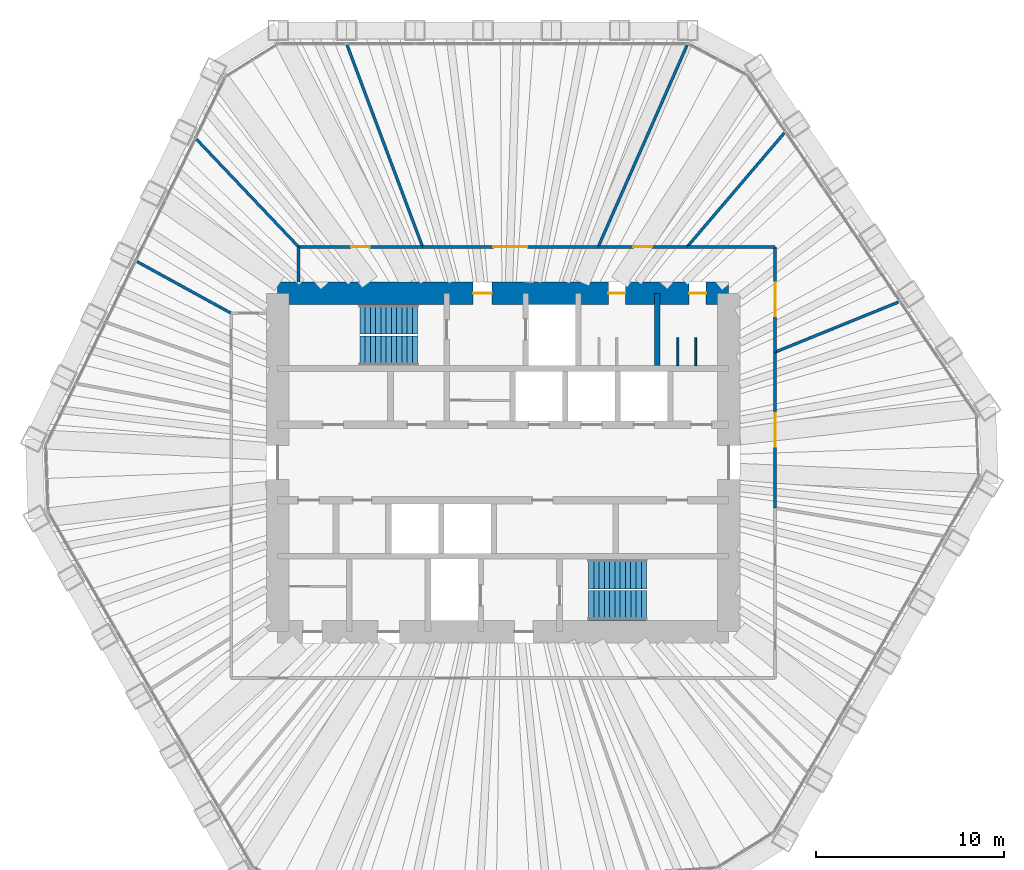
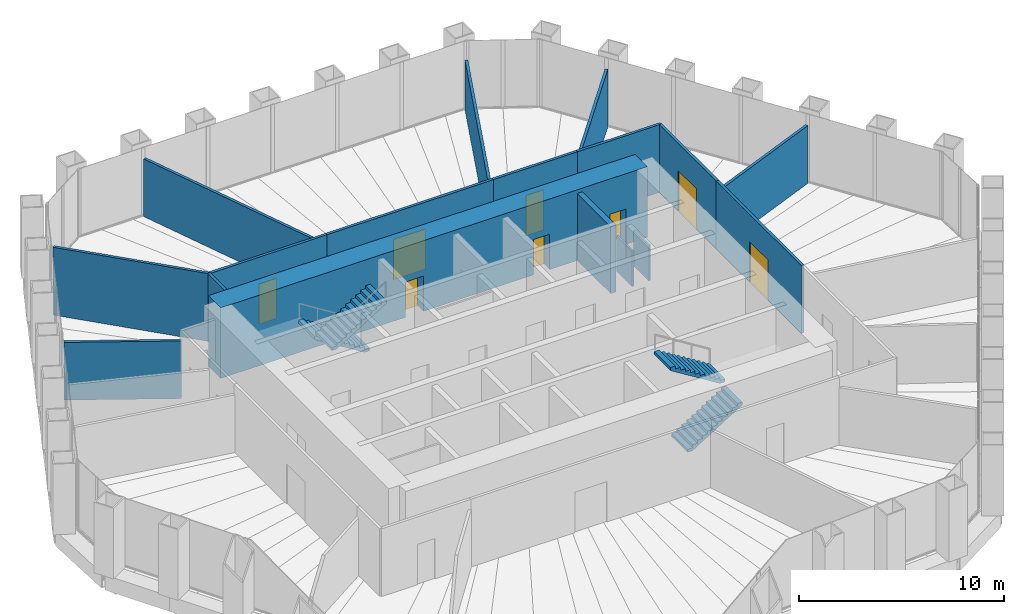
# One storey, part 11 of 12: 17 walls, 8 doors, 4 stair flights, 8 openings, 2 elements without a shape of their own.
"""IFC4 building model written with IfcOpenShell, lengths in metres."""

from ifc_helpers import new_model, si_unit, direction, frame, frame_2d, origin, place, context, subcontext, project, spatial, polyline, rectangle, outline, extrude, material, layer, layer_set, type_object, element, fill, aggregate, save


model = new_model("IFC4")

# Units and contexts
model_context = context("Model", 3, precision=1e-05, world=origin(), true_north=direction((0.0, 1.0)))
body_context = subcontext(model_context, "Body", "Model", "MODEL_VIEW")
ifc_project = project(units=[si_unit("LENGTHUNIT", "METRE"), si_unit("AREAUNIT", "SQUARE_METRE"), si_unit("VOLUMEUNIT", "CUBIC_METRE"), si_unit("PLANEANGLEUNIT", "RADIAN"), si_unit("MASSUNIT", "GRAM", prefix="KILO")], contexts=[model_context])

# Site, building, storey
site_placement = place(None, origin())
site = spatial("IfcSite", under=ifc_project, at=site_placement, CompositionType="ELEMENT")
building_placement = place(site_placement, origin())
building = spatial("IfcBuilding", under=site, at=building_placement, Name="Qingtian Harvest Tower", CompositionType="ELEMENT")
storey_placement = place(building_placement, frame((0.0, 0.0, 184.60009765625)))
storey = spatial("IfcBuildingStorey", under=building, at=storey_placement, Name="L39", CompositionType="ELEMENT", Elevation=184.60009765625)

# Wall
ifc_material_1 = material(Name="Precast concrete shaft panel", Category="concrete")
ifc_layer_1 = layer(ifc_material_1, 0.300048828125)
ifc_layer_set_1 = layer_set([ifc_layer_1], Name="Core shaft partition SW1 300")
wall_type_1 = type_object("IfcWallType", Name="Core shaft partition SW1 300", PredefinedType="PARTITIONING", material=ifc_layer_set_1)
wall_1_placement = place(storey_placement, frame((8.199951171875, 5.14990234375, 0.0), z_axis=(0.0, 0.0, 1.0), x_axis=(0.0, 1.0, 0.0)))
element("IfcWall", 1, at=wall_1_placement, inside=storey, type_object=wall_type_1, Name="Core shaft partition XN4 L39", PredefinedType="PARTITIONING", context=body_context, shape_type="SweptSolid", body=[
    extrude(rectangle(XDim=3.85009765625, YDim=0.300048828125, at=frame_2d((1.925048828125, 0.0))), origin(), (0.0, 0.0, 1.0), 3.97998046875),
])

# Wall, openings, doors
ifc_material_2 = material(Name="Concrete fc' 70 MPa", Category="concrete")
ifc_layer_2 = layer(ifc_material_2, 1.199951171875)
ifc_layer_set_2 = layer_set([ifc_layer_2], Name="Core wall RC2 1200")
wall_type_2 = type_object("IfcWallType", Name="Core wall RC2 1200", PredefinedType="SHEAR", material=ifc_layer_set_2)
wall_2_placement = place(storey_placement, frame((-12.0, 9.0, 0.0), z_axis=(0.0, 0.0, 1.0), x_axis=(1.0, 0.0, 0.0)))
wall_2 = element("IfcWall", 2, at=wall_2_placement, inside=storey, type_object=wall_type_2, Name="Core wall CN L39", PredefinedType="SHEAR", context=body_context, shape_type="SweptSolid", body=[
    extrude(rectangle(XDim=24.0, YDim=1.199951171875, at=frame_2d((12.0, 0.0))), origin(), (0.0, 0.0, 1.0), 4.199951171875),
])
opening_1_placement = place(wall_2_placement, frame((10.39990234375, 0.0, 0.0)))
opening_1 = element("IfcOpeningElement", 3, at=opening_1_placement, cuts=wall_2, Name="Opening FD1", PredefinedType="OPENING", context=body_context, shape_type="SweptSolid", body=[
    extrude(rectangle(XDim=1.0, YDim=2.10009765625, at=frame_2d((0.5, 1.050048828125))), frame((0.0, 0.60986328125, 0.0), z_axis=(0.0, -1.0, 0.0), x_axis=(1.0, 0.0, 0.0)), (0.0, 0.0, 1.0), 1.219970703125),
])
opening_2_placement = place(wall_2_placement, frame((17.60009765625, 0.0, 0.0)))
opening_2 = element("IfcOpeningElement", 4, at=opening_2_placement, cuts=wall_2, Name="Opening D1", PredefinedType="OPENING", context=body_context, shape_type="SweptSolid", body=[
    extrude(rectangle(XDim=0.89990234375, YDim=2.10009765625, at=frame_2d((0.449951171875, 1.050048828125))), frame((0.0, 0.60986328125, 0.0), z_axis=(0.0, -1.0, 0.0), x_axis=(1.0, 0.0, 0.0)), (0.0, 0.0, 1.0), 1.219970703125),
])
opening_3_placement = place(wall_2_placement, frame((21.89990234375, 0.0, 0.0)))
opening_3 = element("IfcOpeningElement", 5, at=opening_3_placement, cuts=wall_2, Name="Opening D1", PredefinedType="OPENING", context=body_context, shape_type="SweptSolid", body=[
    extrude(rectangle(XDim=0.89990234375, YDim=2.10009765625, at=frame_2d((0.449951171875, 1.050048828125))), frame((0.0, 0.60986328125, 0.0), z_axis=(0.0, -1.0, 0.0), x_axis=(1.0, 0.0, 0.0)), (0.0, 0.0, 1.0), 1.219970703125),
])
ifc_material_3 = material(Name="Steel-faced door leaf", Category="steel")
door_type_1 = type_object("IfcDoorType", Name="Fire door FD1 single 1 HR", OperationType="SINGLE_SWING_LEFT", PredefinedType="DOOR", material=ifc_material_3)
door_1_placement = place(opening_1_placement, origin())
door_1 = element("IfcDoor", 6, at=door_1_placement, inside=storey, type_object=door_type_1, Name="V1 door L39", OperationType="SINGLE_SWING_RIGHT", OverallHeight=2.10009765625, OverallWidth=1.0, PredefinedType="DOOR", context=body_context, shape_type="SweptSolid", body=[
    extrude(rectangle(XDim=1.0, YDim=2.10009765625, at=frame_2d((0.5, 1.050048828125))), frame((0.0, 0.02490234375, 0.0), z_axis=(0.0, -1.0, 0.0), x_axis=(1.0, 0.0, 0.0)), (0.0, 0.0, 1.0), 0.050048828125),
])
fill(opening_1, door_1)
ifc_material_4 = material(Name="Laminated timber door leaf", Category="wood")
door_type_2 = type_object("IfcDoorType", Name="Toilet door D1 single", OperationType="SINGLE_SWING_LEFT", PredefinedType="DOOR", material=ifc_material_4)
door_2_placement = place(opening_2_placement, origin())
door_2 = element("IfcDoor", 7, at=door_2_placement, inside=storey, type_object=door_type_2, Name="WCM door L39", OperationType="SINGLE_SWING_LEFT", OverallHeight=2.10009765625, OverallWidth=0.89990234375, PredefinedType="DOOR", context=body_context, shape_type="SweptSolid", body=[
    extrude(rectangle(XDim=0.89990234375, YDim=2.10009765625, at=frame_2d((0.449951171875, 1.050048828125))), frame((0.0, 0.02490234375, 0.0), z_axis=(0.0, -1.0, 0.0), x_axis=(1.0, 0.0, 0.0)), (0.0, 0.0, 1.0), 0.050048828125),
])
fill(opening_2, door_2)
door_3_placement = place(opening_3_placement, origin())
door_3 = element("IfcDoor", 8, at=door_3_placement, inside=storey, type_object=door_type_2, Name="WCF door L39", OperationType="SINGLE_SWING_LEFT", OverallHeight=2.10009765625, OverallWidth=0.89990234375, PredefinedType="DOOR", context=body_context, shape_type="SweptSolid", body=[
    extrude(rectangle(XDim=0.89990234375, YDim=2.10009765625, at=frame_2d((0.449951171875, 1.050048828125))), frame((0.0, 0.02490234375, 0.0), z_axis=(0.0, -1.0, 0.0), x_axis=(1.0, 0.0, 0.0)), (0.0, 0.0, 1.0), 0.050048828125),
])
fill(opening_3, door_3)

# Walls
ifc_material_5 = material(Name="Gypsum board on steel studs", Category="steel")
ifc_layer_3 = layer(ifc_material_5, 0.14990234375)
ifc_layer_set_3 = layer_set([ifc_layer_3], Name="Partition PT1 150")
wall_type_3 = type_object("IfcWallType", Name="Partition PT1 150", PredefinedType="PARTITIONING", material=ifc_layer_set_3)
wall_3_placement = place(storey_placement, frame((-19.48583984375, 10.6904296875, 0.0), z_axis=(0.0, 0.0, 1.0), x_axis=(0.876724089264, -0.480993629172, 0.0)))
element("IfcWall", 9, at=wall_3_placement, inside=storey, type_object=wall_type_3, Name="Huddle room wall L39", PredefinedType="PARTITIONING", context=body_context, shape_type="SweptSolid", body=[
    extrude(rectangle(XDim=5.71533203125, YDim=0.14990234375, at=frame_2d((2.857666015625, 0.0))), origin(), (0.0, 0.0, 1.0), 3.429931640625),
])
wall_4_placement = place(storey_placement, frame((-10.888671875, 9.60009765625, 0.0), z_axis=(0.0, 0.0, 1.0), x_axis=(0.0, 1.0, 0.0)))
element("IfcWall", 10, at=wall_4_placement, inside=storey, type_object=wall_type_3, Name="Huddle room wall L39", PredefinedType="PARTITIONING", context=body_context, shape_type="SweptSolid", body=[
    extrude(rectangle(XDim=1.875, YDim=0.14990234375, at=frame_2d((0.9375, 0.0))), origin(), (0.0, 0.0, 1.0), 4.02978515625),
])
wall_5_placement = place(storey_placement, frame((-16.31884765625, 17.19775390625, 0.0), z_axis=(0.0, 0.0, 1.0), x_axis=(0.688326413955, -0.725401094466, 0.0)))
element("IfcWall", 11, at=wall_5_placement, inside=storey, type_object=wall_type_3, Name="Meeting room wall L39", PredefinedType="PARTITIONING", context=body_context, shape_type="SweptSolid", body=[
    extrude(rectangle(XDim=7.888916015625, YDim=0.14990234375, at=frame_2d((3.9443359375, 0.0))), origin(), (0.0, 0.0, 1.0), 4.02978515625),
])

# Wall, opening, door
wall_6_placement = place(storey_placement, frame((-10.888671875, 11.47509765625, 0.0), z_axis=(0.0, 0.0, 1.0), x_axis=(1.0, 0.0, 0.0)))
wall_6 = element("IfcWall", 12, at=wall_6_placement, inside=storey, type_object=wall_type_3, Name="Meeting room wall L39", PredefinedType="PARTITIONING", context=body_context, shape_type="SweptSolid", body=[
    extrude(rectangle(XDim=6.597900390625, YDim=0.14990234375, at=frame_2d((3.298828125, 0.0))), origin(), (0.0, 0.0, 1.0), 4.02978515625),
])
opening_4_placement = place(wall_6_placement, frame((2.799072265625, 0.0, 0.0)))
opening_4 = element("IfcOpeningElement", 13, at=opening_4_placement, cuts=wall_6, Name="Opening D2", PredefinedType="OPENING", context=body_context, shape_type="SweptSolid", body=[
    extrude(rectangle(XDim=1.0, YDim=2.39990234375, at=frame_2d((0.5, 1.199951171875))), frame((0.0, 0.0849609375, 0.0), z_axis=(0.0, -1.0, 0.0), x_axis=(1.0, 0.0, 0.0)), (0.0, 0.0, 1.0), 0.169921875),
])
ifc_material_6 = material(Name="Laminated timber door leaf", Category="wood")
door_type_3 = type_object("IfcDoorType", Name="Room door D2 single", OperationType="SINGLE_SWING_LEFT", PredefinedType="DOOR", material=ifc_material_6)
door_4_placement = place(opening_4_placement, origin())
door_4 = element("IfcDoor", 14, at=door_4_placement, inside=storey, type_object=door_type_3, Name="Meeting room door L39", OperationType="SINGLE_SWING_LEFT", OverallHeight=2.39990234375, OverallWidth=1.0, PredefinedType="DOOR", context=body_context, shape_type="SweptSolid", body=[
    extrude(rectangle(XDim=1.0, YDim=2.39990234375, at=frame_2d((0.5, 1.199951171875))), frame((0.0, 0.02490234375, 0.0), z_axis=(0.0, -1.0, 0.0), x_axis=(1.0, 0.0, 0.0)), (0.0, 0.0, 1.0), 0.050048828125),
])
fill(opening_4, door_4)

# Wall
wall_7_placement = place(storey_placement, frame((-8.303466796875, 22.206298828125, 0.0), z_axis=(0.0, 0.0, 1.0), x_axis=(0.350242883069, -0.936658914899, 0.0)))
element("IfcWall", 15, at=wall_7_placement, inside=storey, type_object=wall_type_3, Name="Workplace zone wall L39", PredefinedType="PARTITIONING", context=body_context, shape_type="SweptSolid", body=[
    extrude(rectangle(XDim=11.456787109375, YDim=0.14990234375, at=frame_2d((5.728515625, 0.0))), origin(), (0.0, 0.0, 1.0), 3.429931640625),
])

# Wall, opening, door
wall_8_placement = place(storey_placement, frame((-4.290771484375, 11.47509765625, 0.0), z_axis=(0.0, 0.0, 1.0), x_axis=(1.0, 0.0, 0.0)))
wall_8 = element("IfcWall", 16, at=wall_8_placement, inside=storey, type_object=wall_type_3, Name="Workplace zone wall L39", PredefinedType="PARTITIONING", context=body_context, shape_type="SweptSolid", body=[
    extrude(rectangle(XDim=9.3486328125, YDim=0.14990234375, at=frame_2d((4.67431640625, 0.0))), origin(), (0.0, 0.0, 1.0), 4.02978515625),
])
opening_5_placement = place(wall_8_placement, frame((3.7744140625, 0.0, 0.0)))
opening_5 = element("IfcOpeningElement", 17, at=opening_5_placement, cuts=wall_8, Name="Opening D3", PredefinedType="OPENING", context=body_context, shape_type="SweptSolid", body=[
    extrude(rectangle(XDim=1.800048828125, YDim=2.39990234375, at=frame_2d((0.89990234375, 1.199951171875))), frame((0.0, 0.0849609375, 0.0), z_axis=(0.0, -1.0, 0.0), x_axis=(1.0, 0.0, 0.0)), (0.0, 0.0, 1.0), 0.169921875),
])
ifc_material_7 = material(Name="Laminated timber door leaf", Category="wood")
door_type_4 = type_object("IfcDoorType", Name="Room door D3 double", OperationType="DOUBLE_DOOR_DOUBLE_SWING", PredefinedType="DOOR", material=ifc_material_7)
door_5_placement = place(opening_5_placement, origin())
door_5 = element("IfcDoor", 18, at=door_5_placement, inside=storey, type_object=door_type_4, Name="Workplace zone door L39", OperationType="DOUBLE_DOOR_DOUBLE_SWING", OverallHeight=2.39990234375, OverallWidth=1.800048828125, PredefinedType="DOOR", context=body_context, shape_type="SweptSolid", body=[
    extrude(rectangle(XDim=1.800048828125, YDim=2.39990234375, at=frame_2d((0.89990234375, 1.199951171875))), frame((0.0, 0.02490234375, 0.0), z_axis=(0.0, -1.0, 0.0), x_axis=(1.0, 0.0, 0.0)), (0.0, 0.0, 1.0), 0.050048828125),
])
fill(opening_5, door_5)

# Wall
wall_9_placement = place(storey_placement, frame((9.7890625, 22.20849609375, 0.0), z_axis=(0.0, 0.0, 1.0), x_axis=(-0.403346052835, -0.9150475188, 0.0)))
element("IfcWall", 19, at=wall_9_placement, inside=storey, type_object=wall_type_3, Name="Store room wall L39", PredefinedType="PARTITIONING", context=body_context, shape_type="SweptSolid", body=[
    extrude(rectangle(XDim=11.72998046875, YDim=0.14990234375, at=frame_2d((5.864990234375, 0.0))), origin(), (0.0, 0.0, 1.0), 2.929931640625),
])

# Wall, opening, door
wall_10_placement = place(storey_placement, frame((5.057861328125, 11.47509765625, 0.0), z_axis=(0.0, 0.0, 1.0), x_axis=(1.0, 0.0, 0.0)))
wall_10 = element("IfcWall", 20, at=wall_10_placement, inside=storey, type_object=wall_type_3, Name="Store room wall L39", PredefinedType="PARTITIONING", context=body_context, shape_type="SweptSolid", body=[
    extrude(rectangle(XDim=4.733154296875, YDim=0.14990234375, at=frame_2d((2.36669921875, 0.0))), origin(), (0.0, 0.0, 1.0), 4.02978515625),
])
opening_6_placement = place(wall_10_placement, frame((1.86669921875, 0.0, 0.0)))
opening_6 = element("IfcOpeningElement", 21, at=opening_6_placement, cuts=wall_10, Name="Opening D2", PredefinedType="OPENING", context=body_context, shape_type="SweptSolid", body=[
    extrude(rectangle(XDim=1.0, YDim=2.39990234375, at=frame_2d((0.5, 1.199951171875))), frame((0.0, 0.0849609375, 0.0), z_axis=(0.0, -1.0, 0.0), x_axis=(1.0, 0.0, 0.0)), (0.0, 0.0, 1.0), 0.169921875),
])
door_6_placement = place(opening_6_placement, origin())
door_6 = element("IfcDoor", 22, at=door_6_placement, inside=storey, type_object=door_type_3, Name="Store room door L39", OperationType="SINGLE_SWING_RIGHT", OverallHeight=2.39990234375, OverallWidth=1.0, PredefinedType="DOOR", context=body_context, shape_type="SweptSolid", body=[
    extrude(rectangle(XDim=1.0, YDim=2.39990234375, at=frame_2d((0.5, 1.199951171875))), frame((0.0, 0.02490234375, 0.0), z_axis=(0.0, -1.0, 0.0), x_axis=(1.0, 0.0, 0.0)), (0.0, 0.0, 1.0), 0.050048828125),
])
fill(opening_6, door_6)

# Walls
wall_11_placement = place(storey_placement, frame((14.9580078125, 17.530517578125, 0.0), z_axis=(0.0, 0.0, 1.0), x_axis=(-0.649097500837, -0.760705221756, 0.0)))
element("IfcWall", 23, at=wall_11_placement, inside=storey, type_object=wall_type_3, Name="Meeting room wall L39", PredefinedType="PARTITIONING", context=body_context, shape_type="SweptSolid", body=[
    extrude(rectangle(XDim=7.960205078125, YDim=0.14990234375, at=frame_2d((3.97998046875, 0.0))), origin(), (0.0, 0.0, 1.0), 3.429931640625),
])
wall_12_placement = place(storey_placement, frame((9.791015625, 11.47509765625, 0.0), z_axis=(0.0, 0.0, 1.0), x_axis=(1.0, 0.0, 0.0)))
element("IfcWall", 24, at=wall_12_placement, inside=storey, type_object=wall_type_3, Name="Meeting room wall L39", PredefinedType="PARTITIONING", context=body_context, shape_type="SweptSolid", body=[
    extrude(rectangle(XDim=4.68408203125, YDim=0.14990234375, at=frame_2d((2.342041015625, 0.0))), origin(), (0.0, 0.0, 1.0), 4.02978515625),
])

# Wall, opening, door
wall_13_placement = place(storey_placement, frame((14.47509765625, 11.47509765625, 0.0), z_axis=(0.0, 0.0, 1.0), x_axis=(0.0, -1.0, 0.0)))
wall_13 = element("IfcWall", 25, at=wall_13_placement, inside=storey, type_object=wall_type_3, Name="Meeting room wall L39", PredefinedType="PARTITIONING", context=body_context, shape_type="SweptSolid", body=[
    extrude(rectangle(XDim=5.601318359375, YDim=0.14990234375, at=frame_2d((2.80078125, 0.0))), origin(), (0.0, 0.0, 1.0), 4.02978515625),
])
opening_7_placement = place(wall_13_placement, frame((1.900634765625, 0.0, 0.0)))
opening_7 = element("IfcOpeningElement", 26, at=opening_7_placement, cuts=wall_13, Name="Opening D3", PredefinedType="OPENING", context=body_context, shape_type="SweptSolid", body=[
    extrude(rectangle(XDim=1.800048828125, YDim=2.39990234375, at=frame_2d((0.89990234375, 1.199951171875))), frame((0.0, 0.0849609375, 0.0), z_axis=(0.0, -1.0, 0.0), x_axis=(1.0, 0.0, 0.0)), (0.0, 0.0, 1.0), 0.169921875),
])
door_7_placement = place(opening_7_placement, origin())
door_7 = element("IfcDoor", 27, at=door_7_placement, inside=storey, type_object=door_type_4, Name="Meeting room door L39", OperationType="DOUBLE_DOOR_DOUBLE_SWING", OverallHeight=2.39990234375, OverallWidth=1.800048828125, PredefinedType="DOOR", context=body_context, shape_type="SweptSolid", body=[
    extrude(rectangle(XDim=1.800048828125, YDim=2.39990234375, at=frame_2d((0.89990234375, 1.199951171875))), frame((0.0, 0.02490234375, 0.0), z_axis=(0.0, -1.0, 0.0), x_axis=(1.0, 0.0, 0.0)), (0.0, 0.0, 1.0), 0.050048828125),
])
fill(opening_7, door_7)

# Wall
wall_14_placement = place(storey_placement, frame((21.02587890625, 8.531982421875, 0.0), z_axis=(0.0, 0.0, 1.0), x_axis=(-0.926617028548, -0.376006492503, 0.0)))
element("IfcWall", 28, at=wall_14_placement, inside=storey, type_object=wall_type_3, Name="Workplace zone wall L39", PredefinedType="PARTITIONING", context=body_context, shape_type="SweptSolid", body=[
    extrude(rectangle(XDim=7.069580078125, YDim=0.14990234375, at=frame_2d((3.53466796875, 0.0))), origin(), (0.0, 0.0, 1.0), 3.429931640625),
])

# Wall, opening, door
wall_15_placement = place(storey_placement, frame((14.47509765625, 5.873779296875, 0.0), z_axis=(0.0, 0.0, 1.0), x_axis=(0.0, -1.0, 0.0)))
wall_15 = element("IfcWall", 29, at=wall_15_placement, inside=storey, type_object=wall_type_3, Name="Workplace zone wall L39", PredefinedType="PARTITIONING", context=body_context, shape_type="SweptSolid", body=[
    extrude(rectangle(XDim=8.295654296875, YDim=0.14990234375, at=frame_2d((4.14794921875, 0.0))), origin(), (0.0, 0.0, 1.0), 4.02978515625),
])
opening_8_placement = place(wall_15_placement, frame((3.247802734375, 0.0, 0.0)))
opening_8 = element("IfcOpeningElement", 30, at=opening_8_placement, cuts=wall_15, Name="Opening D3", PredefinedType="OPENING", context=body_context, shape_type="SweptSolid", body=[
    extrude(rectangle(XDim=1.800048828125, YDim=2.39990234375, at=frame_2d((0.89990234375, 1.199951171875))), frame((0.0, 0.0849609375, 0.0), z_axis=(0.0, -1.0, 0.0), x_axis=(1.0, 0.0, 0.0)), (0.0, 0.0, 1.0), 0.169921875),
])
door_8_placement = place(opening_8_placement, origin())
door_8 = element("IfcDoor", 31, at=door_8_placement, inside=storey, type_object=door_type_4, Name="Workplace zone door L39", OperationType="DOUBLE_DOOR_DOUBLE_SWING", OverallHeight=2.39990234375, OverallWidth=1.800048828125, PredefinedType="DOOR", context=body_context, shape_type="SweptSolid", body=[
    extrude(rectangle(XDim=1.800048828125, YDim=2.39990234375, at=frame_2d((0.89990234375, 1.199951171875))), frame((0.0, 0.02490234375, 0.0), z_axis=(0.0, -1.0, 0.0), x_axis=(1.0, 0.0, 0.0)), (0.0, 0.0, 1.0), 0.050048828125),
])
fill(opening_8, door_8)

# Walls
ifc_material_8 = material(Name="Compact laminate cubicle partition", Category="plastic")
ifc_layer_4 = layer(ifc_material_8, 0.10009765625)
ifc_layer_set_4 = layer_set([ifc_layer_4], Name="WC cubicle partition WP1 100")
wall_type_4 = type_object("IfcWallType", Name="WC cubicle partition WP1 100", PredefinedType="PARTITIONING", material=ifc_layer_set_4)
for number, where, z_axis, x_axis, name in (
    (32, (9.300048828125, 5.14990234375, 0.0), (0.0, 0.0, 1.0), (0.0, 1.0, 0.0), "WC cubicle partition WCF L39"),
    (33, (10.25, 5.14990234375, 0.0), (0.0, 0.0, 1.0), (0.0, 1.0, 0.0), "WC cubicle partition WCF L39"),
):
    element("IfcWall", number, at=place(storey_placement, frame(where, z_axis=z_axis, x_axis=x_axis)), inside=storey, type_object=wall_type_4, Name=name, PredefinedType="PARTITIONING", context=body_context, shape_type="SweptSolid", body=[
        extrude(rectangle(XDim=1.5, YDim=0.10009765625, at=frame_2d((0.75, 0.0))), origin(), (0.0, 0.0, 1.0), 2.099853515625),
    ])

# Stair, stair flights
ifc_material_9 = material(Name="Concrete fc' 35 MPa", Category="concrete")
stair_type = type_object("IfcStairType", Name="Special stair ST4 4200", PredefinedType="HALF_TURN_STAIR", material=ifc_material_9)
stair_1_placement = place(storey_placement, origin())
stair_1 = element("IfcStair", 34, at=stair_1_placement, inside=storey, type_object=stair_type, Name="Special stair S1 L39", PredefinedType="HALF_TURN_STAIR")
ifc_material_10 = material(Name="Concrete fc' 35 MPa", Category="concrete")
stair_flight_type = type_object("IfcStairFlightType", Name="Stair flight SF4 4200", PredefinedType="STRAIGHT", material=ifc_material_10)
stair_flight_1_placement = place(storey_placement, frame((-4.550048828125, 7.612548828125, 0.0), z_axis=(0.0, 0.0, 1.0), x_axis=(-1.0, 0.0, 0.0)))
stair_flight_1 = element("IfcStairFlight", 35, at=stair_flight_1_placement, type_object=stair_flight_type, Name="S1 flight 1", NumberOfRisers=12, NumberOfTreads=11, PredefinedType="STRAIGHT", RiserHeight=0.175, TreadLength=0.28, context=body_context, shape_type="SweptSolid", body=[
    extrude(outline(polyline([(0.0, 0.0), (0.0, 0.175048828125), (0.280029296875, 0.175048828125), (0.280029296875, 0.35009765625), (0.56005859375, 0.35009765625), (0.56005859375, 0.52490234375), (0.840087890625, 0.52490234375), (0.840087890625, 0.699951171875), (1.1201171875, 0.699951171875), (1.1201171875, 0.875), (1.39990234375, 0.875), (1.39990234375, 1.050048828125), (1.679931640625, 1.050048828125), (1.679931640625, 1.22509765625), (1.9599609375, 1.22509765625), (1.9599609375, 1.39990234375), (2.239990234375, 1.39990234375), (2.239990234375, 1.574951171875), (2.52001953125, 1.574951171875), (2.52001953125, 1.75), (2.800048828125, 1.75), (2.800048828125, 1.925048828125), (3.080078125, 1.925048828125), (3.080078125, 2.10009765625), (3.080078125, 1.748291015625), (0.28271484375, 0.0), (0.0, 0.0)])), frame((0.0, 0.78759765625, 0.0), z_axis=(0.0, -1.0, 0.0), x_axis=(1.0, 0.0, 0.0)), (0.0, 0.0, 1.0), 1.574951171875),
])
stair_flight_2_placement = place(storey_placement, frame((-7.6298828125, 5.9375, 2.099853515625), z_axis=(0.0, 0.0, 1.0), x_axis=(1.0, 0.0, 0.0)))
stair_flight_2 = element("IfcStairFlight", 36, at=stair_flight_2_placement, type_object=stair_flight_type, Name="S1 flight 2", NumberOfRisers=12, NumberOfTreads=11, PredefinedType="STRAIGHT", RiserHeight=0.175, TreadLength=0.28, context=body_context, shape_type="SweptSolid", body=[
    extrude(outline(polyline([(0.0, 0.0), (0.0, 0.175048828125), (0.280029296875, 0.175048828125), (0.280029296875, 0.35009765625), (0.56005859375, 0.35009765625), (0.56005859375, 0.52490234375), (0.840087890625, 0.52490234375), (0.840087890625, 0.699951171875), (1.1201171875, 0.699951171875), (1.1201171875, 0.875), (1.39990234375, 0.875), (1.39990234375, 1.050048828125), (1.679931640625, 1.050048828125), (1.679931640625, 1.22509765625), (1.9599609375, 1.22509765625), (1.9599609375, 1.39990234375), (2.239990234375, 1.39990234375), (2.239990234375, 1.574951171875), (2.52001953125, 1.574951171875), (2.52001953125, 1.75), (2.800048828125, 1.75), (2.800048828125, 1.925048828125), (3.080078125, 1.925048828125), (3.080078125, 2.10009765625), (3.080078125, 1.748291015625), (0.28271484375, 0.0), (0.0, 0.0)])), frame((0.0, 0.78759765625, 0.0), z_axis=(0.0, -1.0, 0.0), x_axis=(1.0, 0.0, 0.0)), (0.0, 0.0, 1.0), 1.574951171875),
])
aggregate(stair_1, [stair_flight_1, stair_flight_2])

stair_2_placement = place(storey_placement, origin())
stair_2 = element("IfcStair", 37, at=stair_2_placement, inside=storey, type_object=stair_type, Name="Special stair S2 L39", PredefinedType="HALF_TURN_STAIR")
stair_flight_3_placement = place(storey_placement, frame((4.550048828125, -7.612548828125, 0.0), z_axis=(0.0, 0.0, 1.0), x_axis=(1.0, 0.0, 0.0)))
stair_flight_3 = element("IfcStairFlight", 38, at=stair_flight_3_placement, type_object=stair_flight_type, Name="S2 flight 1", NumberOfRisers=12, NumberOfTreads=11, PredefinedType="STRAIGHT", RiserHeight=0.175, TreadLength=0.28, context=body_context, shape_type="SweptSolid", body=[
    extrude(outline(polyline([(0.0, 0.0), (0.0, 0.175048828125), (0.280029296875, 0.175048828125), (0.280029296875, 0.35009765625), (0.56005859375, 0.35009765625), (0.56005859375, 0.52490234375), (0.840087890625, 0.52490234375), (0.840087890625, 0.699951171875), (1.1201171875, 0.699951171875), (1.1201171875, 0.875), (1.39990234375, 0.875), (1.39990234375, 1.050048828125), (1.679931640625, 1.050048828125), (1.679931640625, 1.22509765625), (1.9599609375, 1.22509765625), (1.9599609375, 1.39990234375), (2.239990234375, 1.39990234375), (2.239990234375, 1.574951171875), (2.52001953125, 1.574951171875), (2.52001953125, 1.75), (2.800048828125, 1.75), (2.800048828125, 1.925048828125), (3.080078125, 1.925048828125), (3.080078125, 2.10009765625), (3.080078125, 1.748291015625), (0.28271484375, 0.0), (0.0, 0.0)])), frame((0.0, 0.78759765625, 0.0), z_axis=(0.0, -1.0, 0.0), x_axis=(1.0, 0.0, 0.0)), (0.0, 0.0, 1.0), 1.574951171875),
])
stair_flight_4_placement = place(storey_placement, frame((7.6298828125, -5.9375, 2.099853515625), z_axis=(0.0, 0.0, 1.0), x_axis=(-1.0, 0.0, 0.0)))
stair_flight_4 = element("IfcStairFlight", 39, at=stair_flight_4_placement, type_object=stair_flight_type, Name="S2 flight 2", NumberOfRisers=12, NumberOfTreads=11, PredefinedType="STRAIGHT", RiserHeight=0.175, TreadLength=0.28, context=body_context, shape_type="SweptSolid", body=[
    extrude(outline(polyline([(0.0, 0.0), (0.0, 0.175048828125), (0.280029296875, 0.175048828125), (0.280029296875, 0.35009765625), (0.56005859375, 0.35009765625), (0.56005859375, 0.52490234375), (0.840087890625, 0.52490234375), (0.840087890625, 0.699951171875), (1.1201171875, 0.699951171875), (1.1201171875, 0.875), (1.39990234375, 0.875), (1.39990234375, 1.050048828125), (1.679931640625, 1.050048828125), (1.679931640625, 1.22509765625), (1.9599609375, 1.22509765625), (1.9599609375, 1.39990234375), (2.239990234375, 1.39990234375), (2.239990234375, 1.574951171875), (2.52001953125, 1.574951171875), (2.52001953125, 1.75), (2.800048828125, 1.75), (2.800048828125, 1.925048828125), (3.080078125, 1.925048828125), (3.080078125, 2.10009765625), (3.080078125, 1.748291015625), (0.28271484375, 0.0), (0.0, 0.0)])), frame((0.0, 0.78759765625, 0.0), z_axis=(0.0, -1.0, 0.0), x_axis=(1.0, 0.0, 0.0)), (0.0, 0.0, 1.0), 1.574951171875),
])
aggregate(stair_2, [stair_flight_3, stair_flight_4])

save(model, "model.ifc")
